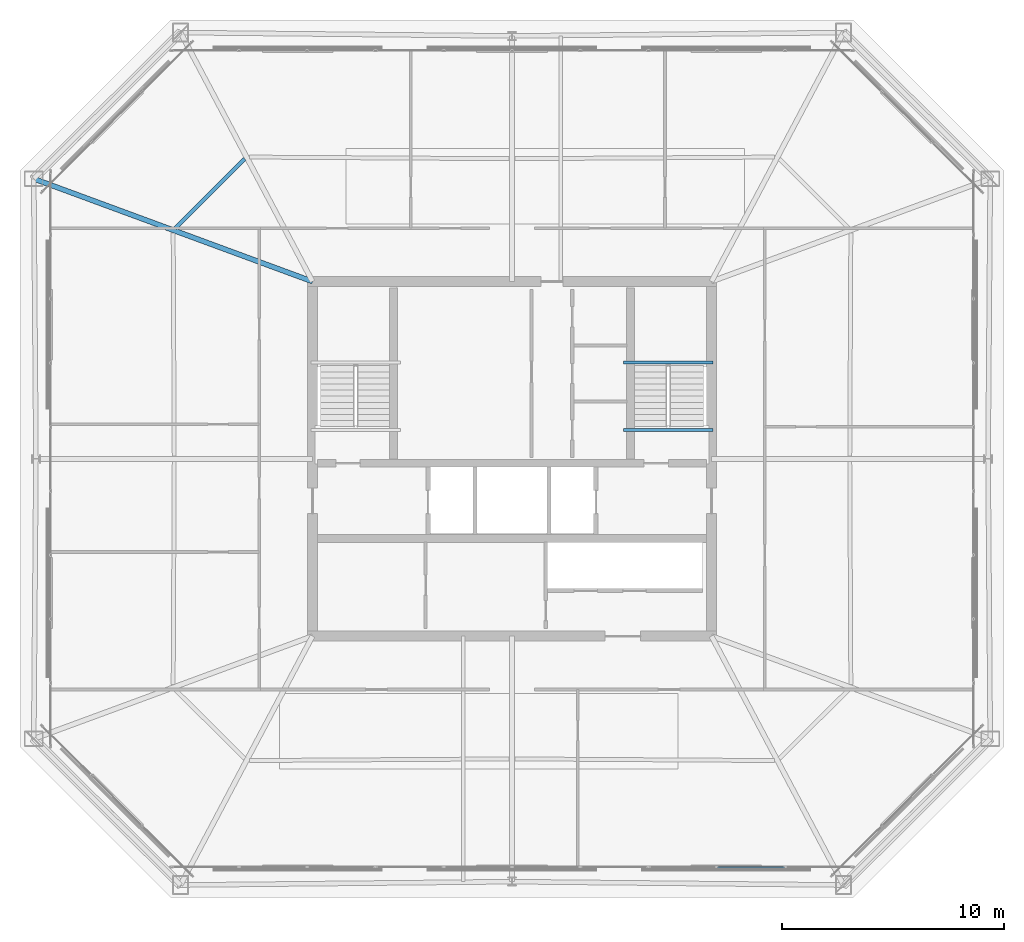
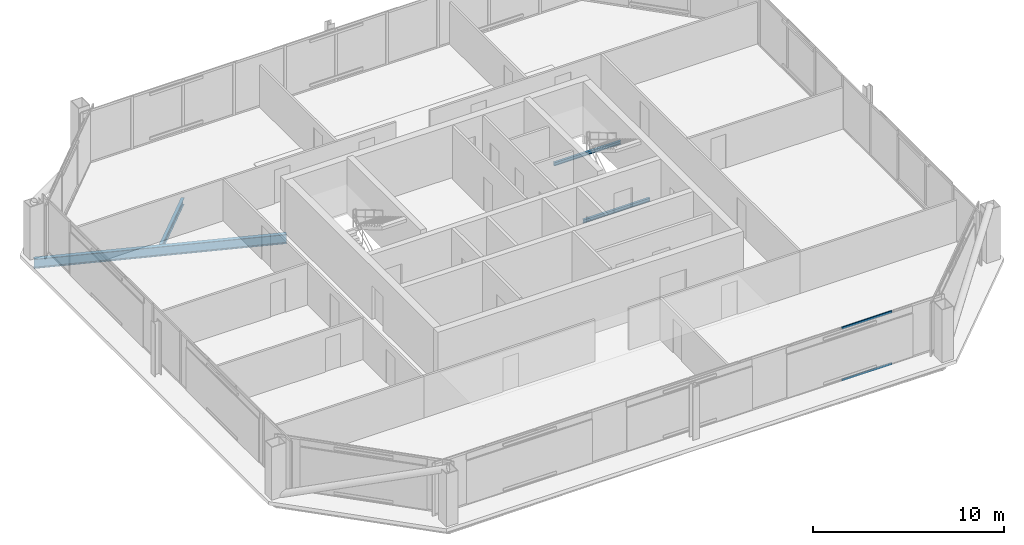
# One storey, part 17 of 39: 4 beams, 2 members, 1 element without a shape of its own.
"""IFC4 building model written with IfcOpenShell, lengths in metres."""

from ifc_helpers import new_model, si_unit, direction, frame, origin, origin_2d, place, context, subcontext, project, spatial, hollow_rectangle, i_section, extrude, material, layer, layer_set, material_profile, profile_set, type_object, element, aggregate, save


model = new_model("IFC4")

# Units and contexts
model_context = context("Model", 3, precision=1e-05, world=origin(), true_north=direction((0.0, 1.0)))
body_context = subcontext(model_context, "Body", "Model", "MODEL_VIEW")
ifc_project = project(units=[si_unit("LENGTHUNIT", "METRE"), si_unit("AREAUNIT", "SQUARE_METRE"), si_unit("VOLUMEUNIT", "CUBIC_METRE"), si_unit("PLANEANGLEUNIT", "RADIAN"), si_unit("MASSUNIT", "GRAM", prefix="KILO")], contexts=[model_context])

# Site, building, storey
site_placement = place(None, origin())
site = spatial("IfcSite", under=ifc_project, at=site_placement, CompositionType="ELEMENT")
building_placement = place(site_placement, origin())
building = spatial("IfcBuilding", under=site, at=building_placement, Name="Caelvoria Tower", CompositionType="ELEMENT")
storey_placement = place(building_placement, frame((0.0, 0.0, 198.60009765625)))
storey = spatial("IfcBuildingStorey", under=building, at=storey_placement, Name="L52", CompositionType="ELEMENT", Elevation=198.60009765625)

# Beams
ifc_material_1 = material(Name="Structural Steel ASTM A992 Gr.50", Category="steel")
ifc_material_profile_1 = material_profile(ifc_material_1, i_section(OverallWidth=0.134033203125, OverallDepth=0.2099609375, WebThickness=0.00634765625, FlangeThickness=0.01025390625, FilletRadius=0.010009765625, at=origin_2d()), Name="Structural Steel ASTM A992 Gr.50")
ifc_profile_set_1 = profile_set([ifc_material_profile_1], Name="W200X31.3 - Structural Steel ASTM A992 Gr.50")
beam_type_1 = type_object("IfcBeamType", Name="Canopy Edge Trim Beam W200X31.3", PredefinedType="BEAM", material=ifc_profile_set_1)
for number, where, z_axis, x_axis, name in (
    (1, (51.030029296875, 36.35009765625, 1.494873046875), (1.0, 0.0, 0.0), (0.0, 1.0, 0.0), "ST-02 Half-Landing Support Beam L52"),
    (2, (51.030029296875, 33.300048828125, -0.30517578125), (1.0, 0.0, 0.0), (0.0, 1.0, 0.0), "ST-02 Floor-Landing Support Beam L52"),
):
    element("IfcBeam", number, at=place(storey_placement, frame(where, z_axis=z_axis, x_axis=x_axis)), inside=storey, type_object=beam_type_1, Name=name, PredefinedType="BEAM", context=body_context, shape_type="SweptSolid", body=[
        extrude(i_section(OverallWidth=0.134033203125, OverallDepth=0.2099609375, WebThickness=0.00634765625, FlangeThickness=0.01025390625, FilletRadius=0.010009765625, at=origin_2d()), origin(), (0.0, 0.0, 1.0), 4.0400390625),
    ])

# Curtain wall, members
ifc_material_2 = material(Name="Anodised Bronze Aluminium and Low-E Glass", Category="aluminium")
ifc_layer = layer(ifc_material_2, 0.175048828125, Name="Anodised Bronze Aluminium and Low-E Glass")
ifc_layer_set = layer_set([ifc_layer], Name="CW System 4 High-Zone Tapered Crystal Facade - Anodised Bronze Aluminium and Low-E Glass")
curtain_wall_type = type_object("IfcCurtainWallType", Name="CW System 4 High-Zone Tapered Crystal Facade", PredefinedType="NOTDEFINED", material=ifc_layer_set)
curtain_wall_placement = place(storey_placement, origin())
curtain_wall = element("IfcCurtainWall", 3, at=curtain_wall_placement, inside=storey, type_object=curtain_wall_type, Name="CW-04 Curtain Wall L52-E0", PredefinedType="NOTDEFINED")
ifc_material_3 = material(Name="Anodised Bronze Architectural Aluminium", Category="aluminium")
ifc_material_profile_2 = material_profile(ifc_material_3, hollow_rectangle(XDim=0.06494140625, YDim=0.1298828125, WallThickness=0.00341796875, at=origin_2d()), Name="Anodised Bronze Architectural Aluminium")
ifc_profile_set_2 = profile_set([ifc_material_profile_2], Name="CW_TRAN_65X130 - Anodised Bronze Architectural Aluminium")
member_type = type_object("IfcMemberType", Name="Curtain Wall Transom 65x130 Bronze Aluminium", PredefinedType="USERDEFINED", material=ifc_profile_set_2)
member_1_placement = place(storey_placement, frame((55.2724609375, 13.580078125, 0.032470703125), z_axis=(1.0, 0.0, 0.0), x_axis=(0.0, 1.0, 0.0)))
member_1 = element("IfcMember", 4, at=member_1_placement, type_object=member_type, Name="CW-04 transom 9.1", ObjectType="TRANSOM", PredefinedType="USERDEFINED", context=body_context, shape_type="SweptSolid", body=[
    extrude(hollow_rectangle(XDim=0.06494140625, YDim=0.1298828125, WallThickness=0.00341796875, at=origin_2d()), origin(), (0.0, 0.0, 1.0), 3.01513671875),
])
member_2_placement = place(storey_placement, frame((55.2724609375, 13.580078125, 3.34228515625), z_axis=(1.0, 0.0, 0.0), x_axis=(0.0, 1.0, 0.0)))
member_2 = element("IfcMember", 5, at=member_2_placement, type_object=member_type, Name="CW-04 transom 9.2", ObjectType="TRANSOM", PredefinedType="USERDEFINED", context=body_context, shape_type="SweptSolid", body=[
    extrude(hollow_rectangle(XDim=0.06494140625, YDim=0.1298828125, WallThickness=0.00341796875, at=origin_2d()), origin(), (0.0, 0.0, 1.0), 3.01513671875),
])
aggregate(curtain_wall, [member_1, member_2])

# Beams
ifc_material_profile_3 = material_profile(ifc_material_1, i_section(OverallWidth=0.22802734375, OverallDepth=0.60302734375, WebThickness=0.010498046875, FlangeThickness=0.014892578125, FilletRadius=0.01806640625, at=origin_2d()), Name="Structural Steel ASTM A992 Gr.50")
ifc_profile_set_3 = profile_set([ifc_material_profile_3], Name="W610X101 - Structural Steel ASTM A992 Gr.50")
beam_type_2 = type_object("IfcBeamType", Name="Primary Floor Girder W610X101", PredefinedType="BEAM", material=ifc_profile_set_3)
beam_1_placement = place(storey_placement, frame((37.0, 40.0, -0.526611328125), z_axis=(-0.938294602718, 0.345837011483, 0.0), x_axis=(-0.345837011483, -0.938294602718, 0.0)))
element("IfcBeam", 6, at=beam_1_placement, inside=storey, type_object=beam_type_2, Name="Primary Floor Girder L52-09", PredefinedType="BEAM", context=body_context, shape_type="SweptSolid", body=[
    extrude(i_section(OverallWidth=0.22802734375, OverallDepth=0.60302734375, WebThickness=0.010498046875, FlangeThickness=0.014892578125, FilletRadius=0.01806640625, at=origin_2d()), origin(), (0.0, 0.0, 1.0), 13.40576171875),
])
ifc_material_profile_4 = material_profile(ifc_material_1, i_section(OverallWidth=0.177978515625, OverallDepth=0.406982421875, WebThickness=0.0078125, FlangeThickness=0.0126953125, FilletRadius=0.013916015625, at=origin_2d()), Name="Structural Steel ASTM A992 Gr.50")
ifc_profile_set_4 = profile_set([ifc_material_profile_4], Name="W410X60 - Structural Steel ASTM A992 Gr.50")
beam_type_3 = type_object("IfcBeamType", Name="Secondary Floor Beam W410X60", PredefinedType="BEAM", material=ifc_profile_set_4)
beam_2_placement = place(storey_placement, frame((33.932373046875, 45.527587890625, -0.4287109375), z_axis=(-0.708430431298, -0.705780648652, 0.0), x_axis=(0.705780648652, -0.708430431298, 0.0)))
element("IfcBeam", 7, at=beam_2_placement, inside=storey, type_object=beam_type_3, Name="Secondary Floor Beam L52-08", PredefinedType="BEAM", context=body_context, shape_type="SweptSolid", body=[
    extrude(i_section(OverallWidth=0.177978515625, OverallDepth=0.406982421875, WebThickness=0.0078125, FlangeThickness=0.0126953125, FilletRadius=0.013916015625, at=origin_2d()), origin(), (0.0, 0.0, 1.0), 4.422607421875),
])

save(model, "model.ifc")
